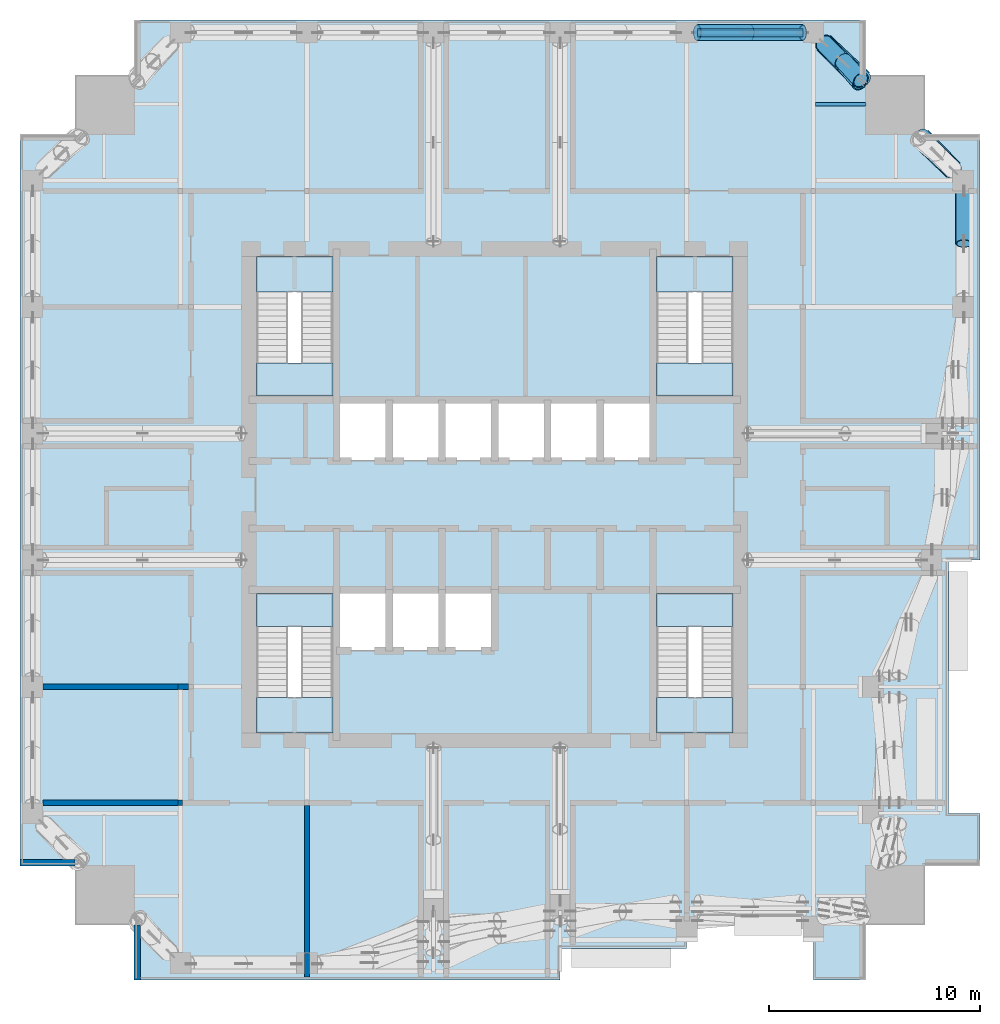
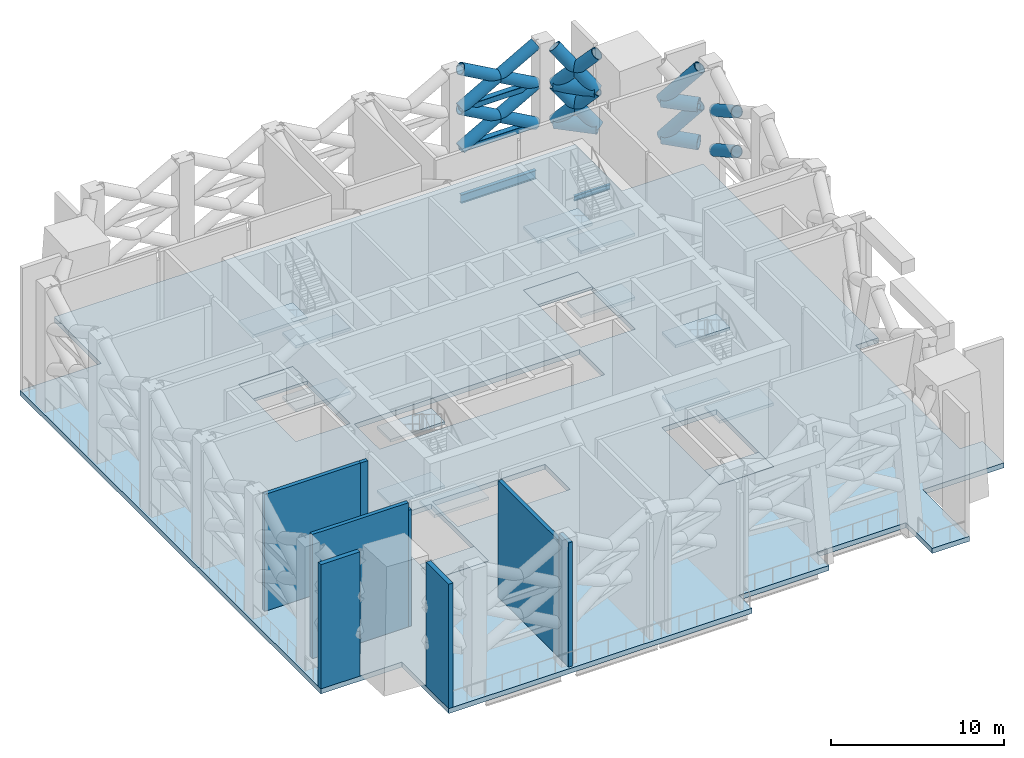
# One storey, part 6 of 18: 17 slabs, 16 members, 8 beams, 8 walls, 4 elements without a shape of their own.
"""IFC4 building model written with IfcOpenShell, lengths in metres."""

from ifc_helpers import new_model, si_unit, direction, frame, frame_2d, origin, origin_2d, place, context, subcontext, project, spatial, polyline, rectangle, hollow_rectangle, hollow_circle, i_section, outline, extrude, material, layer, layer_set, material_profile, profile_set, type_object, element, aggregate, save


model = new_model("IFC4")

# Units and contexts
model_context = context("Model", 3, precision=1e-05, world=origin(), true_north=direction((0.0, 1.0)))
body_context = subcontext(model_context, "Body", "Model", "MODEL_VIEW")
ifc_project = project(units=[si_unit("LENGTHUNIT", "METRE"), si_unit("AREAUNIT", "SQUARE_METRE"), si_unit("VOLUMEUNIT", "CUBIC_METRE"), si_unit("PLANEANGLEUNIT", "RADIAN"), si_unit("MASSUNIT", "GRAM", prefix="KILO")], contexts=[model_context])

# Site, building, storey
site_placement = place(None, origin())
site = spatial("IfcSite", under=ifc_project, at=site_placement, CompositionType="ELEMENT")
building_placement = place(site_placement, origin())
building = spatial("IfcBuilding", under=site, at=building_placement, Name="Amberfall Residences", CompositionType="ELEMENT")
storey_placement = place(building_placement, frame((0.0, 0.0, 178.0)))
storey = spatial("IfcBuildingStorey", under=building, at=storey_placement, Name="L48", CompositionType="ELEMENT", Elevation=178.0)

# Beams
ifc_material_1 = material(Name="Steel S355", Category="steel")
ifc_material_profile_1 = material_profile(ifc_material_1, hollow_circle(Radius=0.457275390625, WallThickness=0.06005859375, at=origin_2d()), Name="CHS 914.4x60")
ifc_profile_set_1 = profile_set([ifc_material_profile_1], Name="Steel S355")
beam_type_1 = type_object("IfcBeamType", Name="Belt truss chord BT CHS 914.4x60", PredefinedType="BEAM", material=ifc_profile_set_1)
beam_1_placement = place(storey_placement, frame((94.720458984375, 62.468505859375, 3.0), z_axis=(0.694626483126, -0.719370592212, 0.0), x_axis=(0.719370592212, 0.694626483126, 0.0)))
element("IfcBeam", 1, at=beam_1_placement, inside=storey, type_object=beam_type_1, Name="Belt truss chord BT2 L48 NEE", PredefinedType="BEAM", context=body_context, shape_type="SweptSolid", body=[
    extrude(hollow_circle(Radius=0.457275390625, WallThickness=0.06005859375, at=origin_2d()), origin(), (0.0, 0.0, 1.0), 2.180419921875),
])
beam_2_placement = place(storey_placement, frame((94.647705078125, 62.402587890625, 5.646484375), z_axis=(0.721131921854, -0.692797770841, 0.0), x_axis=(0.692797770841, 0.721131921854, 0.0)))
element("IfcBeam", 2, at=beam_2_placement, inside=storey, type_object=beam_type_1, Name="Belt truss chord BT2 L48 NEEm", PredefinedType="BEAM", context=body_context, shape_type="SweptSolid", body=[
    extrude(hollow_circle(Radius=0.457275390625, WallThickness=0.06005859375, at=origin_2d()), origin(), (0.0, 0.0, 1.0), 2.197265625),
])
beam_3_placement = place(storey_placement, frame((91.968505859375, 65.1806640625, 3.0), z_axis=(-0.729712615986, 0.683753974812, 0.0), x_axis=(-0.683753974812, -0.729712615986, 0.0)))
element("IfcBeam", 3, at=beam_3_placement, inside=storey, type_object=beam_type_1, Name="Belt truss chord BT2 L48 NEN", PredefinedType="BEAM", context=body_context, shape_type="SweptSolid", body=[
    extrude(hollow_circle(Radius=0.457275390625, WallThickness=0.06005859375, at=origin_2d()), origin(), (0.0, 0.0, 1.0), 2.560546875),
])
beam_4_placement = place(storey_placement, frame((91.849365234375, 65.147705078125, 5.646484375), z_axis=(-0.706663005924, 0.707550278113, 0.0), x_axis=(-0.707550278113, -0.706663005924, 0.0)))
element("IfcBeam", 4, at=beam_4_placement, inside=storey, type_object=beam_type_1, Name="Belt truss chord BT2 L48 NENm", PredefinedType="BEAM", context=body_context, shape_type="SweptSolid", body=[
    extrude(hollow_circle(Radius=0.457275390625, WallThickness=0.06005859375, at=origin_2d()), origin(), (0.0, 0.0, 1.0), 2.476318359375),
])
ifc_material_profile_2 = material_profile(ifc_material_1, hollow_rectangle(XDim=0.39990234375, YDim=0.39990234375, WallThickness=0.02001953125, InnerFilletRadius=0.02001953125, OuterFilletRadius=0.030029296875, at=origin_2d()), Name="RHS 400x400x20")
ifc_profile_set_2 = profile_set([ifc_material_profile_2], Name="Steel S355")
beam_type_2 = type_object("IfcBeamType", Name="Belt truss chord BT RHS 400x400x20", PredefinedType="BEAM", material=ifc_profile_set_2)
for number, where, z_axis, x_axis, name in (
    (5, (84.10009765625, 67.39990234375, 2.89990234375), (1.0, 0.0, 0.0), (0.0, 1.0, 0.0), "Belt truss chord BT3 L48 N5"),
    (6, (84.10009765625, 67.39990234375, 5.699951171875), (1.0, 0.0, 0.0), (0.0, 1.0, 0.0), "Belt truss chord BT3 L48 N5m"),
):
    element("IfcBeam", number, at=place(storey_placement, frame(where, z_axis=z_axis, x_axis=x_axis)), inside=storey, type_object=beam_type_2, Name=name, PredefinedType="BEAM", context=body_context, shape_type="SweptSolid", body=[
        extrude(hollow_rectangle(XDim=0.39990234375, YDim=0.39990234375, WallThickness=0.02001953125, InnerFilletRadius=0.02001953125, OuterFilletRadius=0.030029296875, at=origin_2d()), origin(), (0.0, 0.0, 1.0), 5.0),
    ])

# Members
ifc_material_profile_3 = material_profile(ifc_material_1, hollow_circle(Radius=0.381103515625, WallThickness=0.0400390625, at=origin_2d()), Name="CHS 762x40")
ifc_profile_set_3 = profile_set([ifc_material_profile_3], Name="Steel S355")
member_type_1 = type_object("IfcMemberType", Name="Belt truss diagonal BT CHS 762x40", PredefinedType="BRACE", material=ifc_profile_set_3)
for number, where, z_axis, x_axis, name in (
    (7, (96.724853515625, 57.39990234375, 4.300048828125), (-0.002641300441, 0.872481177807, -0.488640581516), (-0.999995417626, -0.003027329878, 0.0), "Belt truss diagonal BT4 L48 E5e2"),
    (8, (96.73974609375, 57.39990234375, 7.10009765625), (-0.002556097767, 0.87248137099, -0.48864068971), (-0.999995708493, -0.002929674927, 0.0), "Belt truss diagonal BT4 L48 E5e2u"),
):
    element("IfcMember", number, at=place(storey_placement, frame(where, z_axis=z_axis, x_axis=x_axis)), inside=storey, type_object=member_type_1, Name=name, PredefinedType="BRACE", context=body_context, shape_type="SweptSolid", body=[
        extrude(hollow_circle(Radius=0.381103515625, WallThickness=0.0400390625, at=origin_2d()), origin(), (0.0, 0.0, 1.0), 2.865478515625),
    ])
member_1_placement = place(storey_placement, frame((84.10009765625, 67.39990234375, 2.89990234375), z_axis=(0.872502383543, 0.0, 0.488609855315), x_axis=(0.0, 1.0, 0.0)))
element("IfcMember", 9, at=member_1_placement, inside=storey, type_object=member_type_1, Name="Belt truss diagonal BT4 L48 N5d", PredefinedType="BRACE", context=body_context, shape_type="SweptSolid", body=[
    extrude(hollow_circle(Radius=0.381103515625, WallThickness=0.0400390625, at=origin_2d()), origin(), (0.0, 0.0, 1.0), 5.730712890625),
])
member_2_placement = place(storey_placement, frame((84.10009765625, 67.39990234375, 5.699951171875), z_axis=(0.872520545396, 0.0, -0.488577422588), x_axis=(0.0, 1.0, 0.0)))
element("IfcMember", 10, at=member_2_placement, inside=storey, type_object=member_type_1, Name="Belt truss diagonal BT4 L48 N5e", PredefinedType="BRACE", context=body_context, shape_type="SweptSolid", body=[
    extrude(hollow_circle(Radius=0.381103515625, WallThickness=0.0400390625, at=origin_2d()), origin(), (0.0, 0.0, 1.0), 2.865234375),
])
member_3_placement = place(storey_placement, frame((86.60009765625, 67.39990234375, 4.300048828125), z_axis=(0.872484221242, 0.0, -0.488642286018), x_axis=(0.0, 1.0, 0.0)))
element("IfcMember", 11, at=member_3_placement, inside=storey, type_object=member_type_1, Name="Belt truss diagonal BT4 L48 N5e2", PredefinedType="BRACE", context=body_context, shape_type="SweptSolid", body=[
    extrude(hollow_circle(Radius=0.381103515625, WallThickness=0.0400390625, at=origin_2d()), origin(), (0.0, 0.0, 1.0), 2.865478515625),
])
member_4_placement = place(storey_placement, frame((84.10009765625, 67.39990234375, 5.699951171875), z_axis=(0.872502383543, 0.0, 0.488609855315), x_axis=(0.0, 1.0, 0.0)))
element("IfcMember", 12, at=member_4_placement, inside=storey, type_object=member_type_1, Name="Belt truss diagonal BT4 L48 N5du", PredefinedType="BRACE", context=body_context, shape_type="SweptSolid", body=[
    extrude(hollow_circle(Radius=0.381103515625, WallThickness=0.0400390625, at=origin_2d()), origin(), (0.0, 0.0, 1.0), 5.730712890625),
])
member_5_placement = place(storey_placement, frame((84.10009765625, 67.39990234375, 8.5), z_axis=(0.872520545396, 0.0, -0.488577422588), x_axis=(0.0, 1.0, 0.0)))
element("IfcMember", 13, at=member_5_placement, inside=storey, type_object=member_type_1, Name="Belt truss diagonal BT4 L48 N5eu", PredefinedType="BRACE", context=body_context, shape_type="SweptSolid", body=[
    extrude(hollow_circle(Radius=0.381103515625, WallThickness=0.0400390625, at=origin_2d()), origin(), (0.0, 0.0, 1.0), 2.865234375),
])
member_6_placement = place(storey_placement, frame((86.60009765625, 67.39990234375, 7.10009765625), z_axis=(0.872484221242, 0.0, -0.488642286018), x_axis=(0.0, 1.0, 0.0)))
element("IfcMember", 14, at=member_6_placement, inside=storey, type_object=member_type_1, Name="Belt truss diagonal BT4 L48 N5e2u", PredefinedType="BRACE", context=body_context, shape_type="SweptSolid", body=[
    extrude(hollow_circle(Radius=0.381103515625, WallThickness=0.0400390625, at=origin_2d()), origin(), (0.0, 0.0, 1.0), 2.865478515625),
])
ifc_material_profile_4 = material_profile(ifc_material_1, hollow_circle(Radius=0.406494140625, WallThickness=0.050048828125, at=origin_2d()), Name="CHS 813x50")
ifc_profile_set_4 = profile_set([ifc_material_profile_4], Name="Steel S355")
member_type_2 = type_object("IfcMemberType", Name="Belt truss diagonal BT CHS 813x50", PredefinedType="BRACE", material=ifc_profile_set_4)
member_7_placement = place(storey_placement, frame((94.720458984375, 62.468505859375, 3.0), z_axis=(0.439866937159, -0.46210181302, 0.770051291797), x_axis=(0.724317969514, 0.689466082588, 0.0)))
element("IfcMember", 15, at=member_7_placement, inside=storey, type_object=member_type_2, Name="Belt truss diagonal BT5 L48 NEEd", PredefinedType="BRACE", context=body_context, shape_type="SweptSolid", body=[
    extrude(hollow_circle(Radius=0.406494140625, WallThickness=0.050048828125, at=origin_2d()), origin(), (0.0, 0.0, 1.0), 3.436767578125),
])
member_8_placement = place(storey_placement, frame((94.647705078125, 62.402587890625, 5.646484375), z_axis=(0.461803841554, -0.449671527403, 0.76454740165), x_axis=(0.697632944203, 0.716455354619, 0.0)))
element("IfcMember", 16, at=member_8_placement, inside=storey, type_object=member_type_2, Name="Belt truss diagonal BT5 L48 NEEdu", PredefinedType="BRACE", context=body_context, shape_type="SweptSolid", body=[
    extrude(hollow_circle(Radius=0.406494140625, WallThickness=0.050048828125, at=origin_2d()), origin(), (0.0, 0.0, 1.0), 3.461181640625),
])
member_9_placement = place(storey_placement, frame((91.968505859375, 65.1806640625, 3.0), z_axis=(-0.509596941758, 0.468728012521, 0.72152963018), x_axis=(-0.676977386926, -0.736003816288, 0.0)))
element("IfcMember", 17, at=member_9_placement, inside=storey, type_object=member_type_2, Name="Belt truss diagonal BT5 L48 NENd", PredefinedType="BRACE", context=body_context, shape_type="SweptSolid", body=[
    extrude(hollow_circle(Radius=0.406494140625, WallThickness=0.050048828125, at=origin_2d()), origin(), (0.0, 0.0, 1.0), 3.66796875),
])
member_10_placement = place(storey_placement, frame((91.849365234375, 65.147705078125, 5.646484375), z_axis=(-0.464264283768, 0.50666845183, -0.726461117155), x_axis=(-0.737285899361, -0.675580863112, 0.0)))
element("IfcMember", 18, at=member_10_placement, inside=storey, type_object=member_type_2, Name="Belt truss diagonal BT5 L48 NENe", PredefinedType="BRACE", context=body_context, shape_type="SweptSolid", body=[
    extrude(hollow_circle(Radius=0.406494140625, WallThickness=0.050048828125, at=origin_2d()), origin(), (0.0, 0.0, 1.0), 1.79052734375),
])
member_11_placement = place(storey_placement, frame((91.01806640625, 66.054931640625, 4.345703125), z_axis=(-0.496251950198, 0.473815026918, -0.727484241886), x_axis=(-0.690567241448, -0.723268197171, 0.0)))
element("IfcMember", 19, at=member_11_placement, inside=storey, type_object=member_type_2, Name="Belt truss diagonal BT5 L48 NENe2", PredefinedType="BRACE", context=body_context, shape_type="SweptSolid", body=[
    extrude(hollow_circle(Radius=0.406494140625, WallThickness=0.050048828125, at=origin_2d()), origin(), (0.0, 0.0, 1.0), 1.849853515625),
])
member_12_placement = place(storey_placement, frame((91.849365234375, 65.147705078125, 5.646484375), z_axis=(-0.489478657994, 0.481429125452, 0.72707402686), x_axis=(-0.701220251869, -0.712944709195, 0.0)))
element("IfcMember", 20, at=member_12_placement, inside=storey, type_object=member_type_2, Name="Belt truss diagonal BT5 L48 NENdu", PredefinedType="BRACE", context=body_context, shape_type="SweptSolid", body=[
    extrude(hollow_circle(Radius=0.406494140625, WallThickness=0.050048828125, at=origin_2d()), origin(), (0.0, 0.0, 1.0), 3.6396484375),
])
member_13_placement = place(storey_placement, frame((91.818603515625, 65.028564453125, 8.292724609375), z_axis=(-0.452706338657, 0.525280578389, -0.72051182149), x_axis=(-0.757496780698, -0.652838898376, 0.0)))
element("IfcMember", 21, at=member_13_placement, inside=storey, type_object=member_type_2, Name="Belt truss diagonal BT5 L48 NENeu", PredefinedType="BRACE", context=body_context, shape_type="SweptSolid", body=[
    extrude(hollow_circle(Radius=0.406494140625, WallThickness=0.050048828125, at=origin_2d()), origin(), (0.0, 0.0, 1.0), 1.866943359375),
])
member_14_placement = place(storey_placement, frame((90.973388671875, 66.00927734375, 6.947509765625), z_axis=(-0.484836119775, 0.494045297469, -0.72170158723), x_axis=(-0.713727557079, -0.700423424984, 0.0)))
element("IfcMember", 22, at=member_14_placement, inside=storey, type_object=member_type_2, Name="Belt truss diagonal BT5 L48 NENe2u", PredefinedType="BRACE", context=body_context, shape_type="SweptSolid", body=[
    extrude(hollow_circle(Radius=0.406494140625, WallThickness=0.050048828125, at=origin_2d()), origin(), (0.0, 0.0, 1.0), 1.802734375),
])

# Beams
ifc_material_profile_5 = material_profile(ifc_material_1, i_section(OverallWidth=0.228271484375, OverallDepth=0.607666015625, WebThickness=0.010986328125, FlangeThickness=0.017333984375, FilletRadius=0.0126953125, at=origin_2d()), Name="UB 610x229x113")
ifc_profile_set_5 = profile_set([ifc_material_profile_5], Name="Steel S355")
beam_type_3 = type_object("IfcBeamType", Name="Edge beam UB 610x229x113", PredefinedType="SPANDREL", material=ifc_profile_set_5)
beam_5_placement = place(storey_placement, frame((84.10009765625, 67.39990234375, -0.65380859375), z_axis=(1.0, 0.0, 0.0), x_axis=(0.0, 1.0, 0.0)))
element("IfcBeam", 23, at=beam_5_placement, inside=storey, type_object=beam_type_3, Name="Edge beam B12 L48 33", PredefinedType="SPANDREL", context=body_context, shape_type="SweptSolid", body=[
    extrude(i_section(OverallWidth=0.228271484375, OverallDepth=0.607666015625, WebThickness=0.010986328125, FlangeThickness=0.017333984375, FilletRadius=0.0126953125, at=origin_2d()), origin(), (0.0, 0.0, 1.0), 5.0),
])
ifc_material_profile_6 = material_profile(ifc_material_1, i_section(OverallWidth=0.171142578125, OverallDepth=0.351318359375, WebThickness=0.007080078125, FlangeThickness=0.009765625, FilletRadius=0.01025390625, at=origin_2d()), Name="UB 356x171x45")
ifc_profile_set_6 = profile_set([ifc_material_profile_6], Name="Steel S355")
beam_type_4 = type_object("IfcBeamType", Name="Link beam UB 356x171x45", PredefinedType="BEAM", material=ifc_profile_set_6)
beam_6_placement = place(storey_placement, frame((92.10009765625, 64.0, -0.525634765625), z_axis=(-1.0, 0.0, 0.0), x_axis=(0.0, -1.0, 0.0)))
element("IfcBeam", 24, at=beam_6_placement, inside=storey, type_object=beam_type_4, Name="Link beam B7 L48 55", PredefinedType="BEAM", context=body_context, shape_type="SweptSolid", body=[
    extrude(i_section(OverallWidth=0.171142578125, OverallDepth=0.351318359375, WebThickness=0.007080078125, FlangeThickness=0.009765625, FilletRadius=0.01025390625, at=origin_2d()), origin(), (0.0, 0.0, 1.0), 2.40478515625),
])

# Slab
ifc_material_2 = material(Name="Concrete C60", Category="concrete")
ifc_layer_1 = layer(ifc_material_2, 0.35009765625)
ifc_layer_set_1 = layer_set([ifc_layer_1], Name="Refuge floor slab 350 C60")
slab_type_1 = type_object("IfcSlabType", Name="Refuge floor slab 350 C60", PredefinedType="FLOOR", material=ifc_layer_set_1)
slab_1_placement = place(storey_placement, frame((0.0, 0.0, -0.35009765625)))
element("IfcSlab", 25, at=slab_1_placement, inside=storey, type_object=slab_type_1, Name="Floor slab S15 L48", PredefinedType="FLOOR", context=body_context, shape_type="SweptSolid", body=[
    extrude(outline(polyline([(89.60009765625, 22.5), (89.60009765625, 25.5), (83.60009765625, 25.5), (83.60009765625, 24.0), (77.60009765625, 24.0), (77.60009765625, 22.5), (71.60009765625, 22.5), (57.699951171875, 22.5), (57.39990234375, 22.5), (57.39990234375, 27.89990234375), (52.0, 27.89990234375), (52.0, 28.199951171875), (52.0, 62.300048828125), (52.0, 62.60009765625), (57.39990234375, 62.60009765625), (57.39990234375, 68.0), (57.699951171875, 68.0), (91.800048828125, 68.0), (92.10009765625, 68.0), (92.10009765625, 62.60009765625), (97.5, 62.60009765625), (97.5, 62.300048828125), (97.5, 48.39990234375), (97.5, 42.39990234375), (96.0, 42.39990234375), (96.0, 36.39990234375), (96.0, 30.39990234375), (97.5, 30.39990234375), (97.5, 28.199951171875), (97.5, 27.89990234375), (92.10009765625, 27.89990234375), (92.10009765625, 22.5), (91.800048828125, 22.5), (89.60009765625, 22.5)]), holes=[polyline([(85.800048828125, 34.199951171875), (85.800048828125, 40.824951171875), (82.175048828125, 40.824951171875), (82.175048828125, 34.199951171875), (85.800048828125, 34.199951171875)]), polyline([(85.800048828125, 50.175048828125), (85.800048828125, 56.800048828125), (82.175048828125, 56.800048828125), (82.175048828125, 50.175048828125), (85.800048828125, 50.175048828125)]), polyline([(67.0, 50.0), (67.0, 47.10009765625), (69.5, 47.10009765625), (72.0, 47.10009765625), (74.5, 47.10009765625), (77.0, 47.10009765625), (79.5, 47.10009765625), (82.0, 47.10009765625), (82.0, 50.0), (79.5, 50.0), (77.0, 50.0), (74.5, 50.0), (72.0, 50.0), (69.5, 50.0), (67.0, 50.0)]), polyline([(69.5, 41.0), (67.0, 41.0), (67.0, 38.10009765625), (69.5, 38.10009765625), (72.0, 38.10009765625), (74.5, 38.10009765625), (74.5, 41.0), (72.0, 41.0), (69.5, 41.0)]), polyline([(66.824951171875, 40.824951171875), (63.199951171875, 40.824951171875), (63.199951171875, 34.199951171875), (66.824951171875, 34.199951171875), (66.824951171875, 40.824951171875)]), polyline([(66.824951171875, 56.800048828125), (63.199951171875, 56.800048828125), (63.199951171875, 50.175048828125), (66.824951171875, 50.175048828125), (66.824951171875, 56.800048828125)])]), origin(), (0.0, 0.0, 1.0), 0.35009765625),
])

# Stair, slabs
ifc_material_3 = material(Name="Concrete C40", Category="concrete")
stair_type = type_object("IfcStairType", Name="Exit stair 52 risers 173.1 mm", PredefinedType="HALF_TURN_STAIR", material=ifc_material_3)
stair_1_placement = place(storey_placement, origin())
stair_1 = element("IfcStair", 26, at=stair_1_placement, inside=storey, type_object=stair_type, Name="L48 Exit stair 1", PredefinedType="HALF_TURN_STAIR")
ifc_layer_2 = layer(ifc_material_3, 0.199951171875)
ifc_layer_set_2 = layer_set([ifc_layer_2], Name="Stair landing 200")
slab_type_2 = type_object("IfcSlabType", Name="Stair landing 200", PredefinedType="LANDING", material=ifc_layer_set_2)
slab_2_placement = place(storey_placement, frame((0.0, 0.0, 2.050048828125)))
slab_2 = element("IfcSlab", 27, at=slab_2_placement, type_object=slab_type_2, Name="ST4 landing 1", PredefinedType="LANDING", context=body_context, shape_type="SweptSolid", body=[
    extrude(outline(polyline([(66.824951171875, 39.260009765625), (66.824951171875, 40.824951171875), (63.199951171875, 40.824951171875), (63.199951171875, 39.260009765625), (66.824951171875, 39.260009765625)])), origin(), (0.0, 0.0, 1.0), 0.199951171875),
])
slab_3_placement = place(storey_placement, frame((0.0, 0.0, 4.300048828125)))
slab_3 = element("IfcSlab", 28, at=slab_3_placement, type_object=slab_type_2, Name="ST4 landing 2", PredefinedType="LANDING", context=body_context, shape_type="SweptSolid", body=[
    extrude(outline(polyline([(66.824951171875, 34.199951171875), (66.824951171875, 35.89990234375), (63.199951171875, 35.89990234375), (63.199951171875, 34.199951171875), (66.824951171875, 34.199951171875)])), origin(), (0.0, 0.0, 1.0), 0.199951171875),
])
slab_4_placement = place(storey_placement, frame((0.0, 0.0, 6.550048828125)))
slab_4 = element("IfcSlab", 29, at=slab_4_placement, type_object=slab_type_2, Name="ST4 landing 3", PredefinedType="LANDING", context=body_context, shape_type="SweptSolid", body=[
    extrude(outline(polyline([(66.824951171875, 39.260009765625), (66.824951171875, 40.824951171875), (63.199951171875, 40.824951171875), (63.199951171875, 39.260009765625), (66.824951171875, 39.260009765625)])), origin(), (0.0, 0.0, 1.0), 0.199951171875),
])
slab_5_placement = place(storey_placement, frame((0.0, 0.0, -0.199951171875)))
slab_5 = element("IfcSlab", 30, at=slab_5_placement, type_object=slab_type_2, Name="ST4 landing 4", PredefinedType="LANDING", context=body_context, shape_type="SweptSolid", body=[
    extrude(outline(polyline([(66.824951171875, 34.199951171875), (66.824951171875, 35.89990234375), (63.199951171875, 35.89990234375), (63.199951171875, 34.199951171875), (66.824951171875, 34.199951171875)])), origin(), (0.0, 0.0, 1.0), 0.199951171875),
])
aggregate(stair_1, [slab_2, slab_3, slab_4, slab_5])

stair_2_placement = place(storey_placement, origin())
stair_2 = element("IfcStair", 31, at=stair_2_placement, inside=storey, type_object=stair_type, Name="L48 Exit stair 2", PredefinedType="HALF_TURN_STAIR")
slab_6_placement = place(storey_placement, frame((0.0, 0.0, 2.050048828125)))
slab_6 = element("IfcSlab", 32, at=slab_6_placement, type_object=slab_type_2, Name="ST4 landing 1", PredefinedType="LANDING", context=body_context, shape_type="SweptSolid", body=[
    extrude(outline(polyline([(85.800048828125, 39.260009765625), (85.800048828125, 40.824951171875), (82.175048828125, 40.824951171875), (82.175048828125, 39.260009765625), (85.800048828125, 39.260009765625)])), origin(), (0.0, 0.0, 1.0), 0.199951171875),
])
slab_7_placement = place(storey_placement, frame((0.0, 0.0, 4.300048828125)))
slab_7 = element("IfcSlab", 33, at=slab_7_placement, type_object=slab_type_2, Name="ST4 landing 2", PredefinedType="LANDING", context=body_context, shape_type="SweptSolid", body=[
    extrude(outline(polyline([(85.800048828125, 34.199951171875), (85.800048828125, 35.89990234375), (82.175048828125, 35.89990234375), (82.175048828125, 34.199951171875), (85.800048828125, 34.199951171875)])), origin(), (0.0, 0.0, 1.0), 0.199951171875),
])
slab_8_placement = place(storey_placement, frame((0.0, 0.0, 6.550048828125)))
slab_8 = element("IfcSlab", 34, at=slab_8_placement, type_object=slab_type_2, Name="ST4 landing 3", PredefinedType="LANDING", context=body_context, shape_type="SweptSolid", body=[
    extrude(outline(polyline([(85.800048828125, 39.260009765625), (85.800048828125, 40.824951171875), (82.175048828125, 40.824951171875), (82.175048828125, 39.260009765625), (85.800048828125, 39.260009765625)])), origin(), (0.0, 0.0, 1.0), 0.199951171875),
])
slab_9_placement = place(storey_placement, frame((0.0, 0.0, -0.199951171875)))
slab_9 = element("IfcSlab", 35, at=slab_9_placement, type_object=slab_type_2, Name="ST4 landing 4", PredefinedType="LANDING", context=body_context, shape_type="SweptSolid", body=[
    extrude(outline(polyline([(85.800048828125, 34.199951171875), (85.800048828125, 35.89990234375), (82.175048828125, 35.89990234375), (82.175048828125, 34.199951171875), (85.800048828125, 34.199951171875)])), origin(), (0.0, 0.0, 1.0), 0.199951171875),
])
aggregate(stair_2, [slab_6, slab_7, slab_8, slab_9])

stair_3_placement = place(storey_placement, origin())
stair_3 = element("IfcStair", 36, at=stair_3_placement, inside=storey, type_object=stair_type, Name="L48 Exit stair 3", PredefinedType="HALF_TURN_STAIR")
slab_10_placement = place(storey_placement, frame((0.0, 0.0, 2.050048828125)))
slab_10 = element("IfcSlab", 37, at=slab_10_placement, type_object=slab_type_2, Name="ST4 landing 1", PredefinedType="LANDING", context=body_context, shape_type="SweptSolid", body=[
    extrude(outline(polyline([(82.175048828125, 51.739990234375), (82.175048828125, 50.175048828125), (85.800048828125, 50.175048828125), (85.800048828125, 51.739990234375), (82.175048828125, 51.739990234375)])), origin(), (0.0, 0.0, 1.0), 0.199951171875),
])
slab_11_placement = place(storey_placement, frame((0.0, 0.0, 4.300048828125)))
slab_11 = element("IfcSlab", 38, at=slab_11_placement, type_object=slab_type_2, Name="ST4 landing 2", PredefinedType="LANDING", context=body_context, shape_type="SweptSolid", body=[
    extrude(outline(polyline([(82.175048828125, 56.800048828125), (82.175048828125, 55.10009765625), (85.800048828125, 55.10009765625), (85.800048828125, 56.800048828125), (82.175048828125, 56.800048828125)])), origin(), (0.0, 0.0, 1.0), 0.199951171875),
])
slab_12_placement = place(storey_placement, frame((0.0, 0.0, 6.550048828125)))
slab_12 = element("IfcSlab", 39, at=slab_12_placement, type_object=slab_type_2, Name="ST4 landing 3", PredefinedType="LANDING", context=body_context, shape_type="SweptSolid", body=[
    extrude(outline(polyline([(82.175048828125, 51.739990234375), (82.175048828125, 50.175048828125), (85.800048828125, 50.175048828125), (85.800048828125, 51.739990234375), (82.175048828125, 51.739990234375)])), origin(), (0.0, 0.0, 1.0), 0.199951171875),
])
slab_13_placement = place(storey_placement, frame((0.0, 0.0, -0.199951171875)))
slab_13 = element("IfcSlab", 40, at=slab_13_placement, type_object=slab_type_2, Name="ST4 landing 4", PredefinedType="LANDING", context=body_context, shape_type="SweptSolid", body=[
    extrude(outline(polyline([(82.175048828125, 56.800048828125), (82.175048828125, 55.10009765625), (85.800048828125, 55.10009765625), (85.800048828125, 56.800048828125), (82.175048828125, 56.800048828125)])), origin(), (0.0, 0.0, 1.0), 0.199951171875),
])
aggregate(stair_3, [slab_10, slab_11, slab_12, slab_13])

stair_4_placement = place(storey_placement, origin())
stair_4 = element("IfcStair", 41, at=stair_4_placement, inside=storey, type_object=stair_type, Name="L48 Exit stair 4", PredefinedType="HALF_TURN_STAIR")
slab_14_placement = place(storey_placement, frame((0.0, 0.0, 2.050048828125)))
slab_14 = element("IfcSlab", 42, at=slab_14_placement, type_object=slab_type_2, Name="ST4 landing 1", PredefinedType="LANDING", context=body_context, shape_type="SweptSolid", body=[
    extrude(outline(polyline([(63.199951171875, 51.739990234375), (63.199951171875, 50.175048828125), (66.824951171875, 50.175048828125), (66.824951171875, 51.739990234375), (63.199951171875, 51.739990234375)])), origin(), (0.0, 0.0, 1.0), 0.199951171875),
])
slab_15_placement = place(storey_placement, frame((0.0, 0.0, 4.300048828125)))
slab_15 = element("IfcSlab", 43, at=slab_15_placement, type_object=slab_type_2, Name="ST4 landing 2", PredefinedType="LANDING", context=body_context, shape_type="SweptSolid", body=[
    extrude(outline(polyline([(63.199951171875, 56.800048828125), (63.199951171875, 55.10009765625), (66.824951171875, 55.10009765625), (66.824951171875, 56.800048828125), (63.199951171875, 56.800048828125)])), origin(), (0.0, 0.0, 1.0), 0.199951171875),
])
slab_16_placement = place(storey_placement, frame((0.0, 0.0, 6.550048828125)))
slab_16 = element("IfcSlab", 44, at=slab_16_placement, type_object=slab_type_2, Name="ST4 landing 3", PredefinedType="LANDING", context=body_context, shape_type="SweptSolid", body=[
    extrude(outline(polyline([(63.199951171875, 51.739990234375), (63.199951171875, 50.175048828125), (66.824951171875, 50.175048828125), (66.824951171875, 51.739990234375), (63.199951171875, 51.739990234375)])), origin(), (0.0, 0.0, 1.0), 0.199951171875),
])
slab_17_placement = place(storey_placement, frame((0.0, 0.0, -0.199951171875)))
slab_17 = element("IfcSlab", 45, at=slab_17_placement, type_object=slab_type_2, Name="ST4 landing 4", PredefinedType="LANDING", context=body_context, shape_type="SweptSolid", body=[
    extrude(outline(polyline([(63.199951171875, 56.800048828125), (63.199951171875, 55.10009765625), (66.824951171875, 55.10009765625), (66.824951171875, 56.800048828125), (63.199951171875, 56.800048828125)])), origin(), (0.0, 0.0, 1.0), 0.199951171875),
])
aggregate(stair_4, [slab_14, slab_15, slab_16, slab_17])

# Walls
ifc_material_4 = material(Name="Reinforced concrete C40", Category="concrete")
ifc_layer_3 = layer(ifc_material_4, 0.25)
ifc_layer_set_3 = layer_set([ifc_layer_3], Name="Compartment wall 250")
wall_type_1 = type_object("IfcWallType", Name="Compartment wall 250", PredefinedType="SOLIDWALL", material=ifc_layer_set_3)
wall_1_placement = place(storey_placement, frame((53.10009765625, 30.89990234375, 0.0), z_axis=(0.0, 0.0, 1.0), x_axis=(1.0, 0.0, 0.0)))
element("IfcWall", 46, at=wall_1_placement, inside=storey, type_object=wall_type_1, Name="Compartment wall 250 L48 001", PredefinedType="SOLIDWALL", context=body_context, shape_type="SweptSolid", body=[
    extrude(rectangle(XDim=6.39453125, YDim=0.25, at=frame_2d((3.197265625, 0.0))), origin(), (0.0, 0.0, 1.0), 8.75),
])
wall_2_placement = place(storey_placement, frame((59.49462890625, 30.89990234375, 0.0), z_axis=(0.0, 0.0, 1.0), x_axis=(1.0, 0.0, 0.0)))
element("IfcWall", 47, at=wall_2_placement, inside=storey, type_object=wall_type_1, Name="Compartment wall 250 L48 002", PredefinedType="SOLIDWALL", context=body_context, shape_type="SweptSolid", body=[
    extrude(rectangle(XDim=0.210693359375, YDim=0.25, at=frame_2d((0.10546875, 0.0))), origin(), (0.0, 0.0, 1.0), 8.2109375),
])
wall_3_placement = place(storey_placement, frame((53.10009765625, 36.39990234375, 0.0), z_axis=(0.0, 0.0, 1.0), x_axis=(1.0, 0.0, 0.0)))
element("IfcWall", 48, at=wall_3_placement, inside=storey, type_object=wall_type_1, Name="Compartment wall 250 L48 014", PredefinedType="SOLIDWALL", context=body_context, shape_type="SweptSolid", body=[
    extrude(rectangle(XDim=6.39453125, YDim=0.25, at=frame_2d((3.197265625, 0.0))), origin(), (0.0, 0.0, 1.0), 8.217041015625),
])
wall_4_placement = place(storey_placement, frame((59.49462890625, 36.39990234375, 0.0), z_axis=(0.0, 0.0, 1.0), x_axis=(1.0, 0.0, 0.0)))
element("IfcWall", 49, at=wall_4_placement, inside=storey, type_object=wall_type_1, Name="Compartment wall 250 L48 015", PredefinedType="SOLIDWALL", context=body_context, shape_type="SweptSolid", body=[
    extrude(rectangle(XDim=0.48046875, YDim=0.25, at=frame_2d((0.240234375, 0.0))), origin(), (0.0, 0.0, 1.0), 8.2109375),
])
wall_5_placement = place(storey_placement, frame((65.60009765625, 22.64990234375, 0.0), z_axis=(0.0, 0.0, 1.0), x_axis=(0.0, 1.0, 0.0)))
element("IfcWall", 50, at=wall_5_placement, inside=storey, type_object=wall_type_1, Name="Compartment wall 250 L48 056", PredefinedType="SOLIDWALL", context=body_context, shape_type="SweptSolid", body=[
    extrude(rectangle(XDim=1.10302734375, YDim=0.25, at=frame_2d((0.551513671875, 0.0))), origin(), (0.0, 0.0, 1.0), 8.75),
])
wall_6_placement = place(storey_placement, frame((65.60009765625, 23.7529296875, 0.0), z_axis=(0.0, 0.0, 1.0), x_axis=(0.0, 1.0, 0.0)))
element("IfcWall", 51, at=wall_6_placement, inside=storey, type_object=wall_type_1, Name="Compartment wall 250 L48 057", PredefinedType="SOLIDWALL", context=body_context, shape_type="SweptSolid", body=[
    extrude(rectangle(XDim=7.02197265625, YDim=0.25, at=frame_2d((3.510986328125, 0.0))), origin(), (0.0, 0.0, 1.0), 8.217041015625),
])
ifc_material_5 = material(Name="Bronze aluminium louvre cladding on insulated backing", Category="aluminium")
ifc_layer_4 = layer(ifc_material_5, 0.300048828125)
ifc_layer_set_4 = layer_set([ifc_layer_4], Name="Louvre clad wall 300")
wall_type_2 = type_object("IfcWallType", Name="Louvre clad wall 300", PredefinedType="SOLIDWALL", material=ifc_layer_set_4)
for number, where, z_axis, x_axis, name in (
    (52, (52.0, 28.050048828125, 0.0), (0.0, 0.0, 1.0), (1.0, 0.0, 0.0), "External wall L48 SW"),
    (53, (57.550048828125, 25.10009765625, 0.0), (0.0, 0.0, 1.0), (0.0, -1.0, 0.0), "External wall L48 SW"),
):
    element("IfcWall", number, at=place(storey_placement, frame(where, z_axis=z_axis, x_axis=x_axis)), inside=storey, type_object=wall_type_2, Name=name, PredefinedType="SOLIDWALL", context=body_context, shape_type="SweptSolid", body=[
        extrude(rectangle(XDim=2.60009765625, YDim=0.300048828125, at=frame_2d((1.300048828125, 0.0))), origin(), (0.0, 0.0, 1.0), 8.75),
    ])

save(model, "model.ifc")
